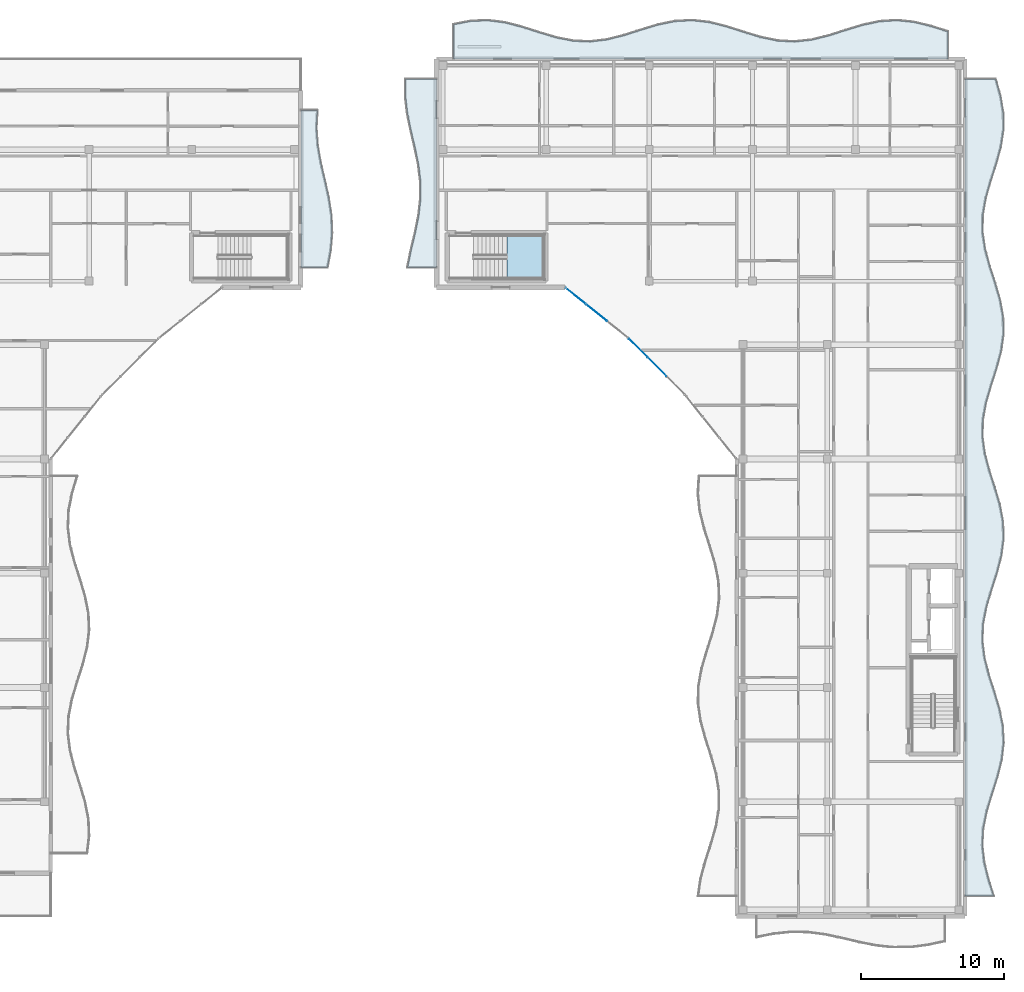
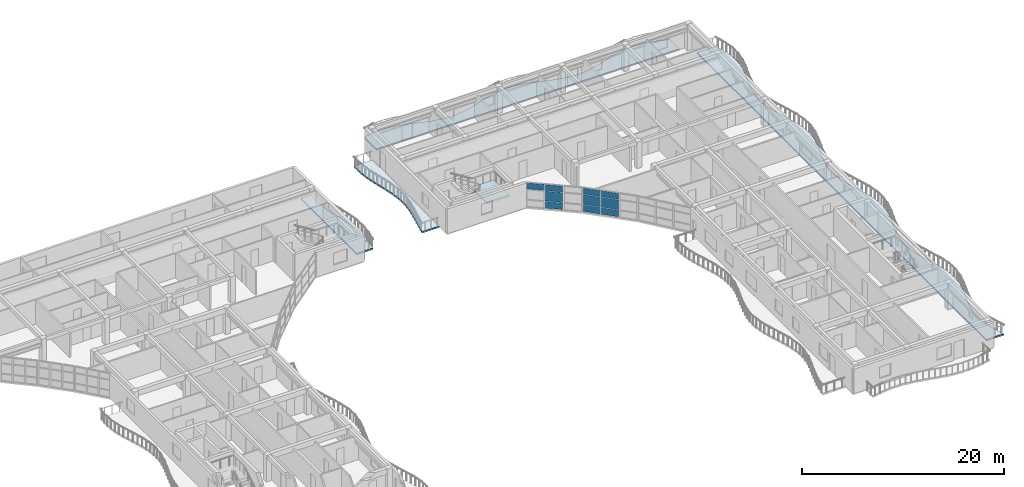
# One storey, part 24 of 54: 10 plates, 5 slabs, 3 elements without a shape of their own.
"""IFC4 building model written with IfcOpenShell, lengths in metres."""

from ifc_helpers import new_model, si_unit, direction, frame, origin, origin_2d, place, context, subcontext, project, spatial, polyline, rectangle, outline, extrude, material, layer, layer_set, type_object, element, aggregate, save


model = new_model("IFC4")

# Units and contexts
model_context = context("Model", 3, precision=1e-05, world=origin(), true_north=direction((0.0, 1.0)))
body_context = subcontext(model_context, "Body", "Model", "MODEL_VIEW")
ifc_project = project(units=[si_unit("LENGTHUNIT", "METRE"), si_unit("AREAUNIT", "SQUARE_METRE"), si_unit("VOLUMEUNIT", "CUBIC_METRE"), si_unit("PLANEANGLEUNIT", "RADIAN"), si_unit("MASSUNIT", "GRAM", prefix="KILO")], contexts=[model_context])

# Site, building, storey
site_placement = place(None, origin())
site = spatial("IfcSite", under=ifc_project, at=site_placement, CompositionType="ELEMENT")
building_placement = place(site_placement, origin())
building = spatial("IfcBuilding", under=site, at=building_placement, Name="Keldmere Railside Commons", CompositionType="ELEMENT")
storey_placement = place(building_placement, frame((0.0, 0.0, 26.56005859375)))
storey = spatial("IfcBuildingStorey", under=building, at=storey_placement, Name="L08", CompositionType="ELEMENT", Elevation=26.56005859375)

# Curtain wall, plates
ifc_material_1 = material(Name="Thermally Broken Aluminium", Category="aluminium")
ifc_layer_1 = layer(ifc_material_1, 0.159912109375, Name="Court Chord Wintergarden CW 5400x2850")
ifc_layer_set_1 = layer_set([ifc_layer_1], Name="Thermally Broken Aluminium")
curtain_wall_type_1 = type_object("IfcCurtainWallType", Name="Court Chord Wintergarden CW 5400x2850", PredefinedType="NOTDEFINED", material=ifc_layer_set_1)
curtain_wall_1_placement = place(storey_placement, origin())
curtain_wall_1 = element("IfcCurtainWall", 1, at=curtain_wall_1_placement, inside=storey, type_object=curtain_wall_type_1, Name="CW-13 CW-L08-181", PredefinedType="NOTDEFINED")
ifc_material_2 = material(Name="Low-E Insulated Double Glazing", Category="glass")
ifc_layer_2 = layer(ifc_material_2, 0.033935546875, Name="Acoustic Laminated Vision Panel 34")
ifc_layer_set_2 = layer_set([ifc_layer_2], Name="Low-E Insulated Double Glazing")
plate_type_1 = type_object("IfcPlateType", Name="Acoustic Laminated Vision Panel 34", PredefinedType="CURTAIN_PANEL", material=ifc_layer_set_2)
plate_1_placement = place(storey_placement, frame((158.215087890625, 98.222900390625, 0.06494140625), z_axis=(0.0, 0.0, 1.0), x_axis=(-0.780009172323, 0.625768080915, 0.0)))
plate_1 = element("IfcPlate", 2, at=plate_1_placement, type_object=plate_type_1, Name="CW-13 panel 2.1", PredefinedType="CURTAIN_PANEL", context=body_context, shape_type="SweptSolid", body=[
    extrude(rectangle(XDim=1.828125, YDim=0.033935546875, at=origin_2d()), origin(), (0.0, 0.0, 1.0), 0.802490234375),
])
plate_2_placement = place(storey_placement, frame((158.215087890625, 98.222900390625, 0.932373046875), z_axis=(0.0, 0.0, 1.0), x_axis=(-0.780009172323, 0.625768080915, 0.0)))
plate_2 = element("IfcPlate", 3, at=plate_2_placement, type_object=plate_type_1, Name="CW-13 panel 2.2", PredefinedType="CURTAIN_PANEL", context=body_context, shape_type="SweptSolid", body=[
    extrude(rectangle(XDim=1.828125, YDim=0.033935546875, at=origin_2d()), origin(), (0.0, 0.0, 1.0), 1.18505859375),
])
plate_3_placement = place(storey_placement, frame((158.215087890625, 98.222900390625, 2.182373046875), z_axis=(0.0, 0.0, 1.0), x_axis=(-0.780009172323, 0.625768080915, 0.0)))
plate_3 = element("IfcPlate", 4, at=plate_3_placement, type_object=plate_type_1, Name="CW-13 panel 2.3", PredefinedType="CURTAIN_PANEL", context=body_context, shape_type="SweptSolid", body=[
    extrude(rectangle(XDim=1.828125, YDim=0.033935546875, at=origin_2d()), origin(), (0.0, 0.0, 1.0), 0.732421875),
])
plate_4_placement = place(storey_placement, frame((156.7509765625, 99.3974609375, 2.182373046875), z_axis=(0.0, 0.0, 1.0), x_axis=(-0.780009172323, 0.625768080915, 0.0)))
plate_4 = element("IfcPlate", 5, at=plate_4_placement, type_object=plate_type_1, Name="CW-13 panel 3.3", PredefinedType="CURTAIN_PANEL", context=body_context, shape_type="SweptSolid", body=[
    extrude(rectangle(XDim=1.795654296875, YDim=0.033935546875, at=origin_2d()), origin(), (0.0, 0.0, 1.0), 0.732421875),
])
aggregate(curtain_wall_1, [plate_1, plate_2, plate_3, plate_4])

ifc_layer_3 = layer(ifc_material_1, 0.159912109375, Name="Court Chord Wintergarden CW 4800x2850")
ifc_layer_set_3 = layer_set([ifc_layer_3], Name="Thermally Broken Aluminium")
curtain_wall_type_2 = type_object("IfcCurtainWallType", Name="Court Chord Wintergarden CW 4800x2850", PredefinedType="NOTDEFINED", material=ifc_layer_set_3)
curtain_wall_2_placement = place(storey_placement, origin())
curtain_wall_2 = element("IfcCurtainWall", 6, at=curtain_wall_2_placement, inside=storey, type_object=curtain_wall_type_2, Name="CW-12 CW-L08-182", PredefinedType="NOTDEFINED")
ifc_layer_4 = layer(ifc_material_2, 0.031982421875, Name="Clerestory Solar-Control Vision Panel 32")
ifc_layer_set_4 = layer_set([ifc_layer_4], Name="Low-E Insulated Double Glazing")
plate_type_2 = type_object("IfcPlateType", Name="Clerestory Solar-Control Vision Panel 32", PredefinedType="CURTAIN_PANEL", material=ifc_layer_set_4)
plate_5_placement = place(storey_placement, frame((162.43798828125, 94.43798828125, 0.06494140625), z_axis=(0.0, 0.0, 1.0), x_axis=(-0.707106781187, 0.707106781187, 0.0)))
plate_5 = element("IfcPlate", 7, at=plate_5_placement, type_object=plate_type_2, Name="CW-12 panel 2.1", PredefinedType="CURTAIN_PANEL", context=body_context, shape_type="SweptSolid", body=[
    extrude(rectangle(XDim=1.828125, YDim=0.031982421875, at=origin_2d()), origin(), (0.0, 0.0, 1.0), 0.802490234375),
])
plate_6_placement = place(storey_placement, frame((162.43798828125, 94.43798828125, 0.932373046875), z_axis=(0.0, 0.0, 1.0), x_axis=(-0.707106781187, 0.707106781187, 0.0)))
plate_6 = element("IfcPlate", 8, at=plate_6_placement, type_object=plate_type_2, Name="CW-12 panel 2.2", PredefinedType="CURTAIN_PANEL", context=body_context, shape_type="SweptSolid", body=[
    extrude(rectangle(XDim=1.828125, YDim=0.031982421875, at=origin_2d()), origin(), (0.0, 0.0, 1.0), 1.18505859375),
])
plate_7_placement = place(storey_placement, frame((162.43798828125, 94.43798828125, 2.182373046875), z_axis=(0.0, 0.0, 1.0), x_axis=(-0.707106781187, 0.707106781187, 0.0)))
plate_7 = element("IfcPlate", 9, at=plate_7_placement, type_object=plate_type_2, Name="CW-12 panel 2.3", PredefinedType="CURTAIN_PANEL", context=body_context, shape_type="SweptSolid", body=[
    extrude(rectangle(XDim=1.828125, YDim=0.031982421875, at=origin_2d()), origin(), (0.0, 0.0, 1.0), 0.732421875),
])
plate_8_placement = place(storey_placement, frame((161.11083984375, 95.76513671875, 0.06494140625), z_axis=(0.0, 0.0, 1.0), x_axis=(-0.707106781187, 0.707106781187, 0.0)))
plate_8 = element("IfcPlate", 10, at=plate_8_placement, type_object=plate_type_2, Name="CW-12 panel 3.1", PredefinedType="CURTAIN_PANEL", context=body_context, shape_type="SweptSolid", body=[
    extrude(rectangle(XDim=1.795654296875, YDim=0.031982421875, at=origin_2d()), origin(), (0.0, 0.0, 1.0), 0.802490234375),
])
plate_9_placement = place(storey_placement, frame((161.11083984375, 95.76513671875, 0.932373046875), z_axis=(0.0, 0.0, 1.0), x_axis=(-0.707106781187, 0.707106781187, 0.0)))
plate_9 = element("IfcPlate", 11, at=plate_9_placement, type_object=plate_type_2, Name="CW-12 panel 3.2", PredefinedType="CURTAIN_PANEL", context=body_context, shape_type="SweptSolid", body=[
    extrude(rectangle(XDim=1.795654296875, YDim=0.031982421875, at=origin_2d()), origin(), (0.0, 0.0, 1.0), 1.18505859375),
])
plate_10_placement = place(storey_placement, frame((161.11083984375, 95.76513671875, 2.182373046875), z_axis=(0.0, 0.0, 1.0), x_axis=(-0.707106781187, 0.707106781187, 0.0)))
plate_10 = element("IfcPlate", 12, at=plate_10_placement, type_object=plate_type_2, Name="CW-12 panel 3.3", PredefinedType="CURTAIN_PANEL", context=body_context, shape_type="SweptSolid", body=[
    extrude(rectangle(XDim=1.795654296875, YDim=0.031982421875, at=origin_2d()), origin(), (0.0, 0.0, 1.0), 0.732421875),
])
aggregate(curtain_wall_2, [plate_5, plate_6, plate_7, plate_8, plate_9, plate_10])

# Stair, slab
ifc_material_3 = material(Name="Concrete H-30 (C30/37)", Category="concrete")
stair_type = type_object("IfcStairType", Name="Residential Core Dogleg Stair 1450", PredefinedType="HALF_TURN_STAIR", material=ifc_material_3)
stair_placement = place(storey_placement, origin())
stair = element("IfcStair", 13, at=stair_placement, inside=storey, type_object=stair_type, Name="L08 Block A Secondary Escape Stair 2", PredefinedType="HALF_TURN_STAIR")
ifc_layer_5 = layer(ifc_material_3, 0.199951171875, Name="Enclosed Stair Landing Slab 200")
ifc_layer_set_5 = layer_set([ifc_layer_5], Name="Concrete H-30 (C30/37)")
slab_type_1 = type_object("IfcSlabType", Name="Enclosed Stair Landing Slab 200", PredefinedType="LANDING", material=ifc_layer_set_5)
slab_1_placement = place(storey_placement, frame((0.0, 0.0, 1.39990234375)))
slab_1 = element("IfcSlab", 14, at=slab_1_placement, type_object=slab_type_1, Name="ST-A2 landing 1", PredefinedType="LANDING", context=body_context, shape_type="SweptSolid", body=[
    extrude(outline(polyline([(151.919921875, 100.60009765625), (154.5, 100.60009765625), (154.5, 103.64990234375), (151.919921875, 103.64990234375), (151.919921875, 100.60009765625)])), origin(), (0.0, 0.0, 1.0), 0.199951171875),
])
aggregate(stair, [slab_1])

# Slabs
ifc_material_4 = material(Name="White Precast Concrete H-35 (C35/45)", Category="concrete")
ifc_layer_6 = layer(ifc_material_4, 0.179931640625, Name="Sinusoidal Wave Balcony Slab 180")
ifc_layer_set_6 = layer_set([ifc_layer_6], Name="White Precast Concrete H-35 (C35/45)")
slab_type_2 = type_object("IfcSlabType", Name="Sinusoidal Wave Balcony Slab 180", PredefinedType="FLOOR", material=ifc_layer_set_6)
slab_2_placement = place(storey_placement, frame((0.0, 0.0, -0.18017578125)))
element("IfcSlab", 15, at=slab_2_placement, inside=storey, type_object=slab_type_2, Name="WB-1 B L08 WE Wave Balcony", PredefinedType="FLOOR", context=body_context, shape_type="SweptSolid", body=[
    extrude(outline(polyline([(139.372802734375, 101.39990234375), (139.597412109375, 102.622314453125), (139.697998046875, 103.844482421875), (139.646240234375, 105.066650390625), (139.456787109375, 106.288818359375), (139.18212890625, 107.510986328125), (138.8984375, 108.7333984375), (138.684814453125, 109.95556640625), (138.60009765625, 111.177734375), (138.66845703125, 112.39990234375), (137.5, 112.39990234375), (137.5, 111.177734375), (137.5, 109.95556640625), (137.5, 108.7333984375), (137.5, 107.510986328125), (137.5, 106.288818359375), (137.5, 105.066650390625), (137.5, 103.844482421875), (137.5, 102.622314453125), (137.5, 101.39990234375), (139.372802734375, 101.39990234375)])), origin(), (0.0, 0.0, 1.0), 0.18017578125),
])
slab_3_placement = place(storey_placement, frame((0.0, 0.0, -0.18017578125)))
element("IfcSlab", 16, at=slab_3_placement, inside=storey, type_object=slab_type_2, Name="WB-1 A L08 N Wave Balcony", PredefinedType="FLOOR", context=body_context, shape_type="SweptSolid", body=[
    extrude(outline(polyline([(148.199951171875, 116.0), (149.39306640625, 116.0), (150.586181640625, 116.0), (151.779296875, 116.0), (152.972412109375, 116.0), (154.16552734375, 116.0), (155.358642578125, 116.0), (156.5517578125, 116.0), (157.744873046875, 116.0), (158.93798828125, 116.0), (160.131103515625, 116.0), (161.32421875, 116.0), (162.51708984375, 116.0), (163.710205078125, 116.0), (164.9033203125, 116.0), (166.0966796875, 116.0), (167.289794921875, 116.0), (168.48291015625, 116.0), (169.67578125, 116.0), (170.868896484375, 116.0), (172.06201171875, 116.0), (173.255126953125, 116.0), (174.4482421875, 116.0), (175.641357421875, 116.0), (176.83447265625, 116.0), (178.027587890625, 116.0), (179.220703125, 116.0), (180.413818359375, 116.0), (181.60693359375, 116.0), (182.800048828125, 116.0), (182.800048828125, 117.908203125), (181.60693359375, 118.2861328125), (180.413818359375, 118.574951171875), (179.220703125, 118.698486328125), (178.027587890625, 118.62353515625), (176.83447265625, 118.3701171875), (175.641357421875, 118.005615234375), (174.4482421875, 117.626220703125), (173.255126953125, 117.33251953125), (172.06201171875, 117.20263671875), (170.868896484375, 117.270751953125), (169.67578125, 117.518798828125), (168.48291015625, 117.881103515625), (167.289794921875, 118.26171875), (166.0966796875, 118.559814453125), (164.9033203125, 118.6962890625), (163.710205078125, 118.635009765625), (162.51708984375, 118.392333984375), (161.32421875, 118.032470703125), (160.131103515625, 117.650634765625), (158.93798828125, 117.348388671875), (157.744873046875, 117.205322265625), (156.5517578125, 117.259521484375), (155.358642578125, 117.496826171875), (154.16552734375, 117.85400390625), (152.972412109375, 118.23681640625), (151.779296875, 118.54345703125), (150.586181640625, 118.693115234375), (149.39306640625, 118.6455078125), (148.199951171875, 118.413818359375), (148.199951171875, 116.0)])), origin(), (0.0, 0.0, 1.0), 0.18017578125),
])
slab_4_placement = place(storey_placement, frame((0.0, 0.0, -0.18017578125)))
element("IfcSlab", 17, at=slab_4_placement, inside=storey, type_object=slab_type_2, Name="WB-1 A L08 CE Wave Balcony", PredefinedType="FLOOR", context=body_context, shape_type="SweptSolid", body=[
    extrude(outline(polyline([(186.006103515625, 57.39990234375), (185.626953125, 58.591796875), (185.33349609375, 59.783203125), (185.202880859375, 60.97509765625), (185.26953125, 62.166748046875), (185.516357421875, 63.3583984375), (185.877685546875, 64.550048828125), (186.258056640625, 65.74169921875), (186.55712890625, 66.933349609375), (186.69580078125, 68.125), (186.63720703125, 69.316650390625), (186.39697265625, 70.50830078125), (186.03857421875, 71.699951171875), (185.656982421875, 72.8916015625), (185.3525390625, 74.083251953125), (185.206298828125, 75.27490234375), (185.256591796875, 76.466796875), (185.489990234375, 77.658203125), (185.84521484375, 78.85009765625), (186.22802734375, 80.041748046875), (186.537353515625, 81.2333984375), (186.69140625, 82.425048828125), (186.649658203125, 83.61669921875), (186.4228515625, 84.808349609375), (186.071044921875, 86.0), (185.687255859375, 87.191650390625), (185.373046875, 88.38330078125), (185.211181640625, 89.574951171875), (185.24462890625, 90.7666015625), (185.464599609375, 91.958251953125), (185.81298828125, 93.14990234375), (186.197509765625, 94.341796875), (186.516357421875, 95.533203125), (186.685791015625, 96.72509765625), (186.66064453125, 97.916748046875), (186.44775390625, 99.1083984375), (186.103271484375, 100.300048828125), (185.718017578125, 101.49169921875), (185.394287109375, 102.683349609375), (185.217529296875, 103.875), (185.234375, 105.066650390625), (185.440185546875, 106.25830078125), (185.78076171875, 107.449951171875), (186.166259765625, 108.6416015625), (186.494384765625, 109.833251953125), (186.6787109375, 111.02490234375), (186.67041015625, 112.216796875), (186.4716796875, 113.408203125), (186.135009765625, 114.60009765625), (184.0, 114.60009765625), (184.0, 113.408203125), (184.0, 112.216796875), (184.0, 111.02490234375), (184.0, 109.833251953125), (184.0, 108.6416015625), (184.0, 107.449951171875), (184.0, 106.25830078125), (184.0, 105.066650390625), (184.0, 103.875), (184.0, 102.683349609375), (184.0, 101.49169921875), (184.0, 100.300048828125), (184.0, 99.1083984375), (184.0, 97.916748046875), (184.0, 96.72509765625), (184.0, 95.533203125), (184.0, 94.341796875), (184.0, 93.14990234375), (184.0, 91.958251953125), (184.0, 90.7666015625), (184.0, 89.574951171875), (184.0, 88.38330078125), (184.0, 87.191650390625), (184.0, 86.0), (184.0, 84.808349609375), (184.0, 83.61669921875), (184.0, 82.425048828125), (184.0, 81.2333984375), (184.0, 80.041748046875), (184.0, 78.85009765625), (184.0, 77.658203125), (184.0, 76.466796875), (184.0, 75.27490234375), (184.0, 74.083251953125), (184.0, 72.8916015625), (184.0, 71.699951171875), (184.0, 70.50830078125), (184.0, 69.316650390625), (184.0, 68.125), (184.0, 66.933349609375), (184.0, 65.74169921875), (184.0, 64.550048828125), (184.0, 63.3583984375), (184.0, 62.166748046875), (184.0, 60.97509765625), (184.0, 59.783203125), (184.0, 58.591796875), (184.0, 57.39990234375), (186.006103515625, 57.39990234375)])), origin(), (0.0, 0.0, 1.0), 0.18017578125),
])
slab_5_placement = place(storey_placement, frame((0.0, 0.0, -0.18017578125)))
element("IfcSlab", 18, at=slab_5_placement, inside=storey, type_object=slab_type_2, Name="WB-1 A L08 WW Wave Balcony", PredefinedType="FLOOR", context=body_context, shape_type="SweptSolid", body=[
    extrude(outline(polyline([(147.0, 101.39990234375), (147.0, 102.60009765625), (147.0, 103.800048828125), (147.0, 105.0), (147.0, 106.199951171875), (147.0, 107.39990234375), (147.0, 108.60009765625), (147.0, 109.800048828125), (147.0, 111.0), (147.0, 112.199951171875), (147.0, 113.39990234375), (147.0, 114.60009765625), (144.8203125, 114.60009765625), (144.8173828125, 113.39990234375), (144.95703125, 112.199951171875), (145.201904296875, 111.0), (145.48681640625, 109.800048828125), (145.73486328125, 108.60009765625), (145.879638671875, 107.39990234375), (145.8828125, 106.199951171875), (145.742919921875, 105.0), (145.498046875, 103.800048828125), (145.21337890625, 102.60009765625), (144.965087890625, 101.39990234375), (147.0, 101.39990234375)])), origin(), (0.0, 0.0, 1.0), 0.18017578125),
])

save(model, "model.ifc")
